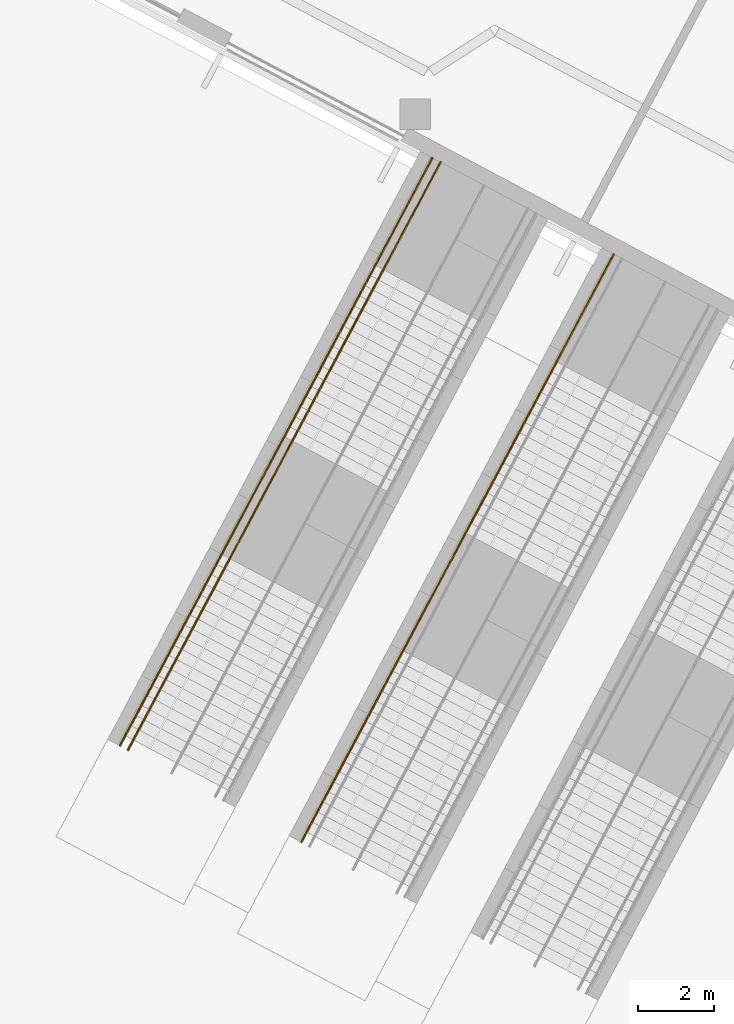
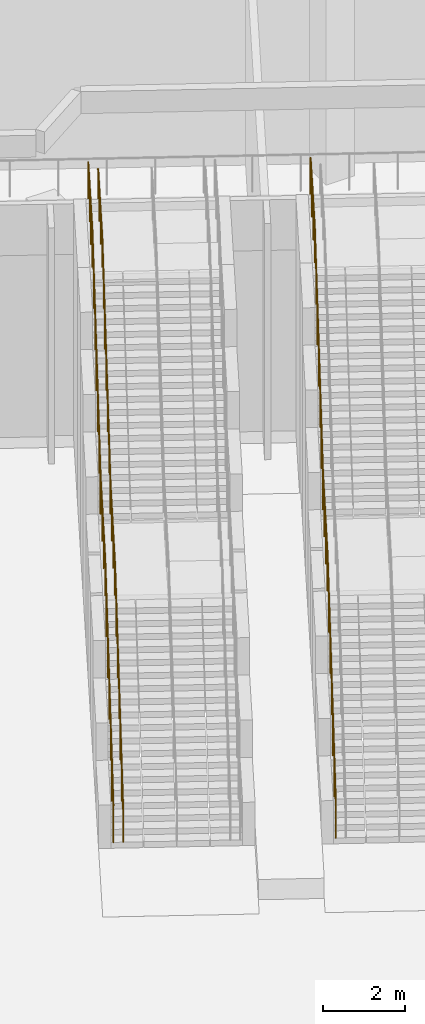
# One storey, part 39 of 57: 3 railings.
"""IFC4 building model written with IfcOpenShell, lengths in metres."""

from ifc_helpers import new_model, si_unit, direction, frame, origin, place, context, subcontext, project, spatial, polyline, outline, extrude, material, type_object, element, save


model = new_model("IFC4")

# Units and contexts
model_context = context("Model", 3, precision=1e-05, world=origin(), true_north=direction((0.0, 1.0)))
body_context = subcontext(model_context, "Body", "Model", "MODEL_VIEW")
ifc_project = project(units=[si_unit("LENGTHUNIT", "METRE"), si_unit("AREAUNIT", "SQUARE_METRE"), si_unit("VOLUMEUNIT", "CUBIC_METRE"), si_unit("PLANEANGLEUNIT", "RADIAN"), si_unit("MASSUNIT", "GRAM", prefix="KILO")], contexts=[model_context])

# Site, building, storey
site_placement = place(None, origin())
site = spatial("IfcSite", under=ifc_project, at=site_placement, CompositionType="ELEMENT")
building_placement = place(site_placement, origin())
building = spatial("IfcBuilding", under=site, at=building_placement, Name="Cormorant Relay Tower", CompositionType="ELEMENT")
storey_placement = place(building_placement, origin())
storey = spatial("IfcBuildingStorey", under=building, at=storey_placement, Name="L00", CompositionType="ELEMENT", Elevation=0.0)

# Railings
ifc_material_1 = material(Name="Stainless steel 316", Category="steel")
railing_type_1 = type_object("IfcRailingType", Name="Podium stair handrail 900", PredefinedType="HANDRAIL", material=ifc_material_1)
railing_1_placement = place(storey_placement, frame((-37.046142578125, -17.677001953125, 7.0)))
element("IfcRailing", 1, at=railing_1_placement, inside=storey, type_object=railing_type_1, Name="Stair handrail", PredefinedType="HANDRAIL", context=body_context, shape_type="SweptSolid", body=[
    extrude(outline(polyline([(0.022216796875, 0.00927734375), (0.00927734375, 0.022216796875), (-0.00927734375, 0.022216796875), (-0.022216796875, 0.00927734375), (-0.022216796875, -0.00927734375), (-0.00927734375, -0.022216796875), (0.00927734375, -0.022216796875), (0.022216796875, -0.00927734375), (0.022216796875, 0.00927734375)])), frame((0.0, 0.0, 0.8759765625), z_axis=(-0.469499880774, -0.882932535335, 0.0), x_axis=(0.882932535335, -0.469499880774, 0.0)), (0.0, 0.0, 1.0), 2.900146484375),
    extrude(outline(polyline([(0.022216796875, 0.00927734375), (0.00927734375, 0.022216796875), (-0.00927734375, 0.022216796875), (-0.022216796875, 0.00927734375), (-0.022216796875, -0.00927734375), (-0.00927734375, -0.022216796875), (0.00927734375, -0.022216796875), (0.022216796875, -0.00927734375), (0.022216796875, 0.00927734375)])), frame((-1.361572265625, -2.560546875, 0.8759765625), z_axis=(-0.405487583814, -0.762694027401, -0.503862719339), x_axis=(0.882968718533, -0.469431829014, 0.0)), (0.0, 0.0, 1.0), 6.598876953125),
    extrude(outline(polyline([(0.022216796875, 0.00927734375), (0.00927734375, 0.022216796875), (-0.00927734375, 0.022216796875), (-0.022216796875, 0.00927734375), (-0.022216796875, -0.00927734375), (-0.00927734375, -0.022216796875), (0.00927734375, -0.022216796875), (0.022216796875, -0.00927734375), (0.022216796875, 0.00927734375)])), frame((-4.037353515625, -7.593505859375, -2.44921875), z_axis=(-0.468833512707, -0.881595939072, -0.054623599059), x_axis=(0.882914115089, -0.469534519898, 0.0)), (0.0, 0.0, 1.0), 3.20458984375),
    extrude(outline(polyline([(0.022216796875, 0.00927734375), (0.00927734375, 0.022216796875), (-0.00927734375, 0.022216796875), (-0.022216796875, 0.00927734375), (-0.022216796875, -0.00927734375), (-0.00927734375, -0.022216796875), (0.00927734375, -0.022216796875), (0.022216796875, -0.00927734375), (0.022216796875, 0.00927734375)])), frame((-5.539794921875, -10.418701171875, -2.6240234375), z_axis=(-0.4055184971, -0.762682585322, -0.503855160296), x_axis=(0.882950964929, -0.46946522079, 0.0)), (0.0, 0.0, 1.0), 6.59912109375),
    extrude(outline(polyline([(0.019287109375, 0.008056640625), (0.008056640625, 0.019287109375), (-0.008056640625, 0.019287109375), (-0.019287109375, 0.008056640625), (-0.019287109375, -0.008056640625), (-0.008056640625, -0.019287109375), (0.008056640625, -0.019287109375), (0.019287109375, -0.008056640625), (0.019287109375, 0.008056640625)])), origin(), (0.0, 0.0, 1.0), 0.851806640625),
    extrude(outline(polyline([(0.019287109375, 0.008056640625), (0.008056640625, 0.019287109375), (-0.008056640625, 0.019287109375), (-0.019287109375, 0.008056640625), (-0.019287109375, -0.008056640625), (-0.008056640625, -0.019287109375), (0.008056640625, -0.019287109375), (0.019287109375, -0.008056640625), (0.019287109375, 0.008056640625)])), frame((-0.453857421875, -0.853515625, 0.0)), (0.0, 0.0, 1.0), 0.851806640625),
    extrude(outline(polyline([(0.019287109375, 0.008056640625), (0.008056640625, 0.019287109375), (-0.008056640625, 0.019287109375), (-0.019287109375, 0.008056640625), (-0.019287109375, -0.008056640625), (-0.008056640625, -0.019287109375), (0.008056640625, -0.019287109375), (0.019287109375, -0.008056640625), (0.019287109375, 0.008056640625)])), frame((-0.90771484375, -1.70703125, 0.0)), (0.0, 0.0, 1.0), 0.851806640625),
    extrude(outline(polyline([(0.019287109375, 0.008056640625), (0.008056640625, 0.019287109375), (-0.008056640625, 0.019287109375), (-0.019287109375, 0.008056640625), (-0.019287109375, -0.008056640625), (-0.008056640625, -0.019287109375), (0.008056640625, -0.019287109375), (0.019287109375, -0.008056640625), (0.019287109375, 0.008056640625)])), frame((-1.361572265625, -2.560546875, 0.0)), (0.0, 0.0, 1.0), 0.851806640625),
    extrude(outline(polyline([(0.019287109375, 0.008056640625), (0.008056640625, 0.019287109375), (-0.008056640625, 0.019287109375), (-0.019287109375, 0.008056640625), (-0.019287109375, -0.008056640625), (-0.008056640625, -0.019287109375), (0.008056640625, -0.019287109375), (0.019287109375, -0.008056640625), (0.019287109375, 0.008056640625)])), frame((-1.8076171875, -3.3994140625, -0.55419921875)), (0.0, 0.0, 1.0), 0.851806640625),
    extrude(outline(polyline([(0.019287109375, 0.008056640625), (0.008056640625, 0.019287109375), (-0.008056640625, 0.019287109375), (-0.019287109375, 0.008056640625), (-0.019287109375, -0.008056640625), (-0.008056640625, -0.019287109375), (0.008056640625, -0.019287109375), (0.019287109375, -0.008056640625), (0.019287109375, 0.008056640625)])), frame((-2.25341796875, -4.23828125, -1.1083984375)), (0.0, 0.0, 1.0), 0.851806640625),
    extrude(outline(polyline([(0.019287109375, 0.008056640625), (0.008056640625, 0.019287109375), (-0.008056640625, 0.019287109375), (-0.019287109375, 0.008056640625), (-0.019287109375, -0.008056640625), (-0.008056640625, -0.019287109375), (0.008056640625, -0.019287109375), (0.019287109375, -0.008056640625), (0.019287109375, 0.008056640625)])), frame((-2.699462890625, -5.0771484375, -1.66259765625)), (0.0, 0.0, 1.0), 0.851806640625),
    extrude(outline(polyline([(0.019287109375, 0.008056640625), (0.008056640625, 0.019287109375), (-0.008056640625, 0.019287109375), (-0.019287109375, 0.008056640625), (-0.019287109375, -0.008056640625), (-0.008056640625, -0.019287109375), (0.008056640625, -0.019287109375), (0.019287109375, -0.008056640625), (0.019287109375, 0.008056640625)])), frame((-3.1455078125, -5.915771484375, -2.216552734375)), (0.0, 0.0, 1.0), 0.851806640625),
    extrude(outline(polyline([(0.019287109375, 0.008056640625), (0.008056640625, 0.019287109375), (-0.008056640625, 0.019287109375), (-0.019287109375, 0.008056640625), (-0.019287109375, -0.008056640625), (-0.008056640625, -0.019287109375), (0.008056640625, -0.019287109375), (0.019287109375, -0.008056640625), (0.019287109375, 0.008056640625)])), frame((-3.59130859375, -6.754638671875, -2.770751953125)), (0.0, 0.0, 1.0), 0.851806640625),
    extrude(outline(polyline([(0.019287109375, 0.008056640625), (0.008056640625, 0.019287109375), (-0.008056640625, 0.019287109375), (-0.019287109375, 0.008056640625), (-0.019287109375, -0.008056640625), (-0.008056640625, -0.019287109375), (0.008056640625, -0.019287109375), (0.019287109375, -0.008056640625), (0.019287109375, 0.008056640625)])), frame((-4.037353515625, -7.593505859375, -3.324951171875)), (0.0, 0.0, 1.0), 0.851806640625),
    extrude(outline(polyline([(0.019287109375, 0.008056640625), (0.008056640625, 0.019287109375), (-0.008056640625, 0.019287109375), (-0.019287109375, 0.008056640625), (-0.019287109375, -0.008056640625), (-0.008056640625, -0.019287109375), (0.008056640625, -0.019287109375), (0.019287109375, -0.008056640625), (0.019287109375, 0.008056640625)])), frame((-4.5380859375, -8.53515625, -3.38330078125)), (0.0, 0.0, 1.0), 0.851806640625),
    extrude(outline(polyline([(0.019287109375, 0.008056640625), (0.008056640625, 0.019287109375), (-0.008056640625, 0.019287109375), (-0.019287109375, 0.008056640625), (-0.019287109375, -0.008056640625), (-0.008056640625, -0.019287109375), (0.008056640625, -0.019287109375), (0.019287109375, -0.008056640625), (0.019287109375, 0.008056640625)])), frame((-5.0390625, -9.47705078125, -3.441650390625)), (0.0, 0.0, 1.0), 0.851806640625),
    extrude(outline(polyline([(0.019287109375, 0.008056640625), (0.008056640625, 0.019287109375), (-0.008056640625, 0.019287109375), (-0.019287109375, 0.008056640625), (-0.019287109375, -0.008056640625), (-0.008056640625, -0.019287109375), (0.008056640625, -0.019287109375), (0.019287109375, -0.008056640625), (0.019287109375, 0.008056640625)])), frame((-5.539794921875, -10.418701171875, -3.5)), (0.0, 0.0, 1.0), 0.851806640625),
    extrude(outline(polyline([(0.019287109375, 0.008056640625), (0.008056640625, 0.019287109375), (-0.008056640625, 0.019287109375), (-0.019287109375, 0.008056640625), (-0.019287109375, -0.008056640625), (-0.008056640625, -0.019287109375), (0.008056640625, -0.019287109375), (0.019287109375, -0.008056640625), (0.019287109375, 0.008056640625)])), frame((-5.98583984375, -11.257568359375, -4.05419921875)), (0.0, 0.0, 1.0), 0.851806640625),
    extrude(outline(polyline([(0.019287109375, 0.008056640625), (0.008056640625, 0.019287109375), (-0.008056640625, 0.019287109375), (-0.019287109375, 0.008056640625), (-0.019287109375, -0.008056640625), (-0.008056640625, -0.019287109375), (0.008056640625, -0.019287109375), (0.019287109375, -0.008056640625), (0.019287109375, 0.008056640625)])), frame((-6.431884765625, -12.096435546875, -4.6083984375)), (0.0, 0.0, 1.0), 0.851806640625),
    extrude(outline(polyline([(0.019287109375, 0.008056640625), (0.008056640625, 0.019287109375), (-0.008056640625, 0.019287109375), (-0.019287109375, 0.008056640625), (-0.019287109375, -0.008056640625), (-0.008056640625, -0.019287109375), (0.008056640625, -0.019287109375), (0.019287109375, -0.008056640625), (0.019287109375, 0.008056640625)])), frame((-6.8779296875, -12.93505859375, -5.16259765625)), (0.0, 0.0, 1.0), 0.851806640625),
    extrude(outline(polyline([(0.019287109375, 0.008056640625), (0.008056640625, 0.019287109375), (-0.008056640625, 0.019287109375), (-0.019287109375, 0.008056640625), (-0.019287109375, -0.008056640625), (-0.008056640625, -0.019287109375), (0.008056640625, -0.019287109375), (0.019287109375, -0.008056640625), (0.019287109375, 0.008056640625)])), frame((-7.32373046875, -13.77392578125, -5.716552734375)), (0.0, 0.0, 1.0), 0.851806640625),
    extrude(outline(polyline([(0.019287109375, 0.008056640625), (0.008056640625, 0.019287109375), (-0.008056640625, 0.019287109375), (-0.019287109375, 0.008056640625), (-0.019287109375, -0.008056640625), (-0.008056640625, -0.019287109375), (0.008056640625, -0.019287109375), (0.019287109375, -0.008056640625), (0.019287109375, 0.008056640625)])), frame((-7.769775390625, -14.61279296875, -6.270751953125)), (0.0, 0.0, 1.0), 0.851806640625),
    extrude(outline(polyline([(0.019287109375, 0.008056640625), (0.008056640625, 0.019287109375), (-0.008056640625, 0.019287109375), (-0.019287109375, 0.008056640625), (-0.019287109375, -0.008056640625), (-0.008056640625, -0.019287109375), (0.008056640625, -0.019287109375), (0.019287109375, -0.008056640625), (0.019287109375, 0.008056640625)])), frame((-8.2158203125, -15.45166015625, -6.824951171875)), (0.0, 0.0, 1.0), 0.851806640625),
])
ifc_material_2 = material(Name="Bronze anodised aluminium", Category="aluminium")
railing_type_2 = type_object("IfcRailingType", Name="Stair guard steel 1100", PredefinedType="GUARDRAIL", material=ifc_material_2)
railing_2_placement = place(storey_placement, frame((-37.258056640625, -17.564208984375, 7.0)))
element("IfcRailing", 2, at=railing_2_placement, inside=storey, type_object=railing_type_2, Name="Stair guard", PredefinedType="GUARDRAIL", context=body_context, shape_type="SweptSolid", body=[
    extrude(outline(polyline([(0.022216796875, 0.00927734375), (0.00927734375, 0.022216796875), (-0.00927734375, 0.022216796875), (-0.022216796875, 0.00927734375), (-0.022216796875, -0.00927734375), (-0.00927734375, -0.022216796875), (0.00927734375, -0.022216796875), (0.022216796875, -0.00927734375), (0.022216796875, 0.00927734375)])), frame((0.0, 0.0, 1.076171875), z_axis=(-0.469464985218, -0.882951090183, 0.0), x_axis=(0.882951090183, -0.469464985218, 0.0)), (0.0, 0.0, 1.0), 2.900146484375),
    extrude(outline(polyline([(0.022216796875, 0.00927734375), (0.00927734375, 0.022216796875), (-0.00927734375, 0.022216796875), (-0.022216796875, 0.00927734375), (-0.022216796875, -0.00927734375), (-0.00927734375, -0.022216796875), (0.00927734375, -0.022216796875), (0.022216796875, -0.00927734375), (0.022216796875, 0.00927734375)])), frame((-1.361572265625, -2.560791015625, 1.076171875), z_axis=(-0.40552993965, -0.762667108471, -0.50386937762), x_axis=(0.882941524652, -0.469482975245, 0.0)), (0.0, 0.0, 1.0), 6.598876953125),
    extrude(outline(polyline([(0.022216796875, 0.00927734375), (0.00927734375, 0.022216796875), (-0.00927734375, 0.022216796875), (-0.022216796875, 0.00927734375), (-0.022216796875, -0.00927734375), (-0.00927734375, -0.022216796875), (0.00927734375, -0.022216796875), (0.022216796875, -0.00927734375), (0.022216796875, 0.00927734375)])), frame((-4.03759765625, -7.593505859375, -2.2490234375), z_axis=(-0.468742586737, -0.881644394004, -0.054621881146), x_axis=(0.88296255937, -0.469443413791, 0.0)), (0.0, 0.0, 1.0), 3.204833984375),
    extrude(outline(polyline([(0.022216796875, 0.00927734375), (0.00927734375, 0.022216796875), (-0.00927734375, 0.022216796875), (-0.022216796875, 0.00927734375), (-0.022216796875, -0.00927734375), (-0.00927734375, -0.022216796875), (0.00927734375, -0.022216796875), (0.022216796875, -0.00927734375), (0.022216796875, 0.00927734375)])), frame((-5.539794921875, -10.4189453125, -2.423828125), z_axis=(-0.40552993965, -0.762667108471, -0.50386937762), x_axis=(0.882941524652, -0.469482975245, 0.0)), (0.0, 0.0, 1.0), 6.598876953125),
    extrude(outline(polyline([(0.019287109375, 0.008056640625), (0.008056640625, 0.019287109375), (-0.008056640625, 0.019287109375), (-0.019287109375, 0.008056640625), (-0.019287109375, -0.008056640625), (-0.008056640625, -0.019287109375), (0.008056640625, -0.019287109375), (0.019287109375, -0.008056640625), (0.019287109375, 0.008056640625)])), origin(), (0.0, 0.0, 1.0), 1.052001953125),
    extrude(outline(polyline([(0.019287109375, 0.008056640625), (0.008056640625, 0.019287109375), (-0.008056640625, 0.019287109375), (-0.019287109375, 0.008056640625), (-0.019287109375, -0.008056640625), (-0.008056640625, -0.019287109375), (0.008056640625, -0.019287109375), (0.019287109375, -0.008056640625), (0.019287109375, 0.008056640625)])), frame((-0.453857421875, -0.853515625, 0.0)), (0.0, 0.0, 1.0), 1.052001953125),
    extrude(outline(polyline([(0.019287109375, 0.008056640625), (0.008056640625, 0.019287109375), (-0.008056640625, 0.019287109375), (-0.019287109375, 0.008056640625), (-0.019287109375, -0.008056640625), (-0.008056640625, -0.019287109375), (0.008056640625, -0.019287109375), (0.019287109375, -0.008056640625), (0.019287109375, 0.008056640625)])), frame((-0.90771484375, -1.707275390625, 0.0)), (0.0, 0.0, 1.0), 1.052001953125),
    extrude(outline(polyline([(0.019287109375, 0.008056640625), (0.008056640625, 0.019287109375), (-0.008056640625, 0.019287109375), (-0.019287109375, 0.008056640625), (-0.019287109375, -0.008056640625), (-0.008056640625, -0.019287109375), (0.008056640625, -0.019287109375), (0.019287109375, -0.008056640625), (0.019287109375, 0.008056640625)])), frame((-1.361572265625, -2.560791015625, 0.0)), (0.0, 0.0, 1.0), 1.052001953125),
    extrude(outline(polyline([(0.019287109375, 0.008056640625), (0.008056640625, 0.019287109375), (-0.008056640625, 0.019287109375), (-0.019287109375, 0.008056640625), (-0.019287109375, -0.008056640625), (-0.008056640625, -0.019287109375), (0.008056640625, -0.019287109375), (0.019287109375, -0.008056640625), (0.019287109375, 0.008056640625)])), frame((-1.8076171875, -3.399658203125, -0.55419921875)), (0.0, 0.0, 1.0), 1.052001953125),
    extrude(outline(polyline([(0.019287109375, 0.008056640625), (0.008056640625, 0.019287109375), (-0.008056640625, 0.019287109375), (-0.019287109375, 0.008056640625), (-0.019287109375, -0.008056640625), (-0.008056640625, -0.019287109375), (0.008056640625, -0.019287109375), (0.019287109375, -0.008056640625), (0.019287109375, 0.008056640625)])), frame((-2.253662109375, -4.23828125, -1.1083984375)), (0.0, 0.0, 1.0), 1.052001953125),
    extrude(outline(polyline([(0.019287109375, 0.008056640625), (0.008056640625, 0.019287109375), (-0.008056640625, 0.019287109375), (-0.019287109375, 0.008056640625), (-0.019287109375, -0.008056640625), (-0.008056640625, -0.019287109375), (0.008056640625, -0.019287109375), (0.019287109375, -0.008056640625), (0.019287109375, 0.008056640625)])), frame((-2.69970703125, -5.0771484375, -1.66259765625)), (0.0, 0.0, 1.0), 1.052001953125),
    extrude(outline(polyline([(0.019287109375, 0.008056640625), (0.008056640625, 0.019287109375), (-0.008056640625, 0.019287109375), (-0.019287109375, 0.008056640625), (-0.019287109375, -0.008056640625), (-0.008056640625, -0.019287109375), (0.008056640625, -0.019287109375), (0.019287109375, -0.008056640625), (0.019287109375, 0.008056640625)])), frame((-3.1455078125, -5.916015625, -2.216552734375)), (0.0, 0.0, 1.0), 1.052001953125),
    extrude(outline(polyline([(0.019287109375, 0.008056640625), (0.008056640625, 0.019287109375), (-0.008056640625, 0.019287109375), (-0.019287109375, 0.008056640625), (-0.019287109375, -0.008056640625), (-0.008056640625, -0.019287109375), (0.008056640625, -0.019287109375), (0.019287109375, -0.008056640625), (0.019287109375, 0.008056640625)])), frame((-3.591552734375, -6.754638671875, -2.770751953125)), (0.0, 0.0, 1.0), 1.052001953125),
    extrude(outline(polyline([(0.019287109375, 0.008056640625), (0.008056640625, 0.019287109375), (-0.008056640625, 0.019287109375), (-0.019287109375, 0.008056640625), (-0.019287109375, -0.008056640625), (-0.008056640625, -0.019287109375), (0.008056640625, -0.019287109375), (0.019287109375, -0.008056640625), (0.019287109375, 0.008056640625)])), frame((-4.03759765625, -7.593505859375, -3.324951171875)), (0.0, 0.0, 1.0), 1.052001953125),
    extrude(outline(polyline([(0.019287109375, 0.008056640625), (0.008056640625, 0.019287109375), (-0.008056640625, 0.019287109375), (-0.019287109375, 0.008056640625), (-0.019287109375, -0.008056640625), (-0.008056640625, -0.019287109375), (0.008056640625, -0.019287109375), (0.019287109375, -0.008056640625), (0.019287109375, 0.008056640625)])), frame((-4.538330078125, -8.535400390625, -3.38330078125)), (0.0, 0.0, 1.0), 1.052001953125),
    extrude(outline(polyline([(0.019287109375, 0.008056640625), (0.008056640625, 0.019287109375), (-0.008056640625, 0.019287109375), (-0.019287109375, 0.008056640625), (-0.019287109375, -0.008056640625), (-0.008056640625, -0.019287109375), (0.008056640625, -0.019287109375), (0.019287109375, -0.008056640625), (0.019287109375, 0.008056640625)])), frame((-5.0390625, -9.47705078125, -3.441650390625)), (0.0, 0.0, 1.0), 1.052001953125),
    extrude(outline(polyline([(0.019287109375, 0.008056640625), (0.008056640625, 0.019287109375), (-0.008056640625, 0.019287109375), (-0.019287109375, 0.008056640625), (-0.019287109375, -0.008056640625), (-0.008056640625, -0.019287109375), (0.008056640625, -0.019287109375), (0.019287109375, -0.008056640625), (0.019287109375, 0.008056640625)])), frame((-5.539794921875, -10.4189453125, -3.5)), (0.0, 0.0, 1.0), 1.052001953125),
    extrude(outline(polyline([(0.019287109375, 0.008056640625), (0.008056640625, 0.019287109375), (-0.008056640625, 0.019287109375), (-0.019287109375, 0.008056640625), (-0.019287109375, -0.008056640625), (-0.008056640625, -0.019287109375), (0.008056640625, -0.019287109375), (0.019287109375, -0.008056640625), (0.019287109375, 0.008056640625)])), frame((-5.98583984375, -11.2578125, -4.05419921875)), (0.0, 0.0, 1.0), 1.052001953125),
    extrude(outline(polyline([(0.019287109375, 0.008056640625), (0.008056640625, 0.019287109375), (-0.008056640625, 0.019287109375), (-0.019287109375, 0.008056640625), (-0.019287109375, -0.008056640625), (-0.008056640625, -0.019287109375), (0.008056640625, -0.019287109375), (0.019287109375, -0.008056640625), (0.019287109375, 0.008056640625)])), frame((-6.431884765625, -12.096435546875, -4.6083984375)), (0.0, 0.0, 1.0), 1.052001953125),
    extrude(outline(polyline([(0.019287109375, 0.008056640625), (0.008056640625, 0.019287109375), (-0.008056640625, 0.019287109375), (-0.019287109375, 0.008056640625), (-0.019287109375, -0.008056640625), (-0.008056640625, -0.019287109375), (0.008056640625, -0.019287109375), (0.019287109375, -0.008056640625), (0.019287109375, 0.008056640625)])), frame((-6.8779296875, -12.935302734375, -5.16259765625)), (0.0, 0.0, 1.0), 1.052001953125),
    extrude(outline(polyline([(0.019287109375, 0.008056640625), (0.008056640625, 0.019287109375), (-0.008056640625, 0.019287109375), (-0.019287109375, 0.008056640625), (-0.019287109375, -0.008056640625), (-0.008056640625, -0.019287109375), (0.008056640625, -0.019287109375), (0.019287109375, -0.008056640625), (0.019287109375, 0.008056640625)])), frame((-7.32373046875, -13.774169921875, -5.716552734375)), (0.0, 0.0, 1.0), 1.052001953125),
    extrude(outline(polyline([(0.019287109375, 0.008056640625), (0.008056640625, 0.019287109375), (-0.008056640625, 0.019287109375), (-0.019287109375, 0.008056640625), (-0.019287109375, -0.008056640625), (-0.008056640625, -0.019287109375), (0.008056640625, -0.019287109375), (0.019287109375, -0.008056640625), (0.019287109375, 0.008056640625)])), frame((-7.769775390625, -14.61279296875, -6.270751953125)), (0.0, 0.0, 1.0), 1.052001953125),
    extrude(outline(polyline([(0.019287109375, 0.008056640625), (0.008056640625, 0.019287109375), (-0.008056640625, 0.019287109375), (-0.019287109375, 0.008056640625), (-0.019287109375, -0.008056640625), (-0.008056640625, -0.019287109375), (0.008056640625, -0.019287109375), (0.019287109375, -0.008056640625), (0.019287109375, 0.008056640625)])), frame((-8.2158203125, -15.45166015625, -6.824951171875)), (0.0, 0.0, 1.0), 1.052001953125),
])
railing_3_placement = place(storey_placement, frame((-32.490234375, -20.099609375, 7.0)))
element("IfcRailing", 3, at=railing_3_placement, inside=storey, type_object=railing_type_2, Name="Stair guard", PredefinedType="GUARDRAIL", context=body_context, shape_type="SweptSolid", body=[
    extrude(outline(polyline([(0.022216796875, 0.00927734375), (0.00927734375, 0.022216796875), (-0.00927734375, 0.022216796875), (-0.022216796875, 0.00927734375), (-0.022216796875, -0.00927734375), (-0.00927734375, -0.022216796875), (0.00927734375, -0.022216796875), (0.022216796875, -0.00927734375), (0.022216796875, 0.00927734375)])), frame((0.0, 0.0, 1.076171875), z_axis=(-0.469534780786, -0.882913976349, 0.0), x_axis=(0.882913976349, -0.469534780786, 0.0)), (0.0, 0.0, 1.0), 2.89990234375),
    extrude(outline(polyline([(0.022216796875, 0.00927734375), (0.00927734375, 0.022216796875), (-0.00927734375, 0.022216796875), (-0.022216796875, 0.00927734375), (-0.022216796875, -0.00927734375), (-0.00927734375, -0.022216796875), (0.00927734375, -0.022216796875), (0.022216796875, -0.00927734375), (0.022216796875, 0.00927734375)])), frame((-1.361572265625, -2.560302734375, 1.076171875), z_axis=(-0.405487583814, -0.762694027401, -0.503862719339), x_axis=(0.882968718533, -0.469431829014, 0.0)), (0.0, 0.0, 1.0), 6.598876953125),
    extrude(outline(polyline([(0.022216796875, 0.00927734375), (0.00927734375, 0.022216796875), (-0.00927734375, 0.022216796875), (-0.022216796875, 0.00927734375), (-0.022216796875, -0.00927734375), (-0.00927734375, -0.022216796875), (0.00927734375, -0.022216796875), (0.022216796875, -0.00927734375), (0.022216796875, 0.00927734375)])), frame((-4.037353515625, -7.59326171875, -2.2490234375), z_axis=(-0.468742586737, -0.881644394004, -0.054621881146), x_axis=(0.88296255937, -0.469443413791, 0.0)), (0.0, 0.0, 1.0), 3.204833984375),
    extrude(outline(polyline([(0.022216796875, 0.00927734375), (0.00927734375, 0.022216796875), (-0.00927734375, 0.022216796875), (-0.022216796875, 0.00927734375), (-0.022216796875, -0.00927734375), (-0.00927734375, -0.022216796875), (0.00927734375, -0.022216796875), (0.022216796875, -0.00927734375), (0.022216796875, 0.00927734375)])), frame((-5.53955078125, -10.418701171875, -2.423828125), z_axis=(-0.40552993965, -0.762667108471, -0.50386937762), x_axis=(0.882941524652, -0.469482975245, 0.0)), (0.0, 0.0, 1.0), 6.598876953125),
    extrude(outline(polyline([(0.019287109375, 0.008056640625), (0.008056640625, 0.019287109375), (-0.008056640625, 0.019287109375), (-0.019287109375, 0.008056640625), (-0.019287109375, -0.008056640625), (-0.008056640625, -0.019287109375), (0.008056640625, -0.019287109375), (0.019287109375, -0.008056640625), (0.019287109375, 0.008056640625)])), origin(), (0.0, 0.0, 1.0), 1.052001953125),
    extrude(outline(polyline([(0.019287109375, 0.008056640625), (0.008056640625, 0.019287109375), (-0.008056640625, 0.019287109375), (-0.019287109375, 0.008056640625), (-0.019287109375, -0.008056640625), (-0.008056640625, -0.019287109375), (0.008056640625, -0.019287109375), (0.019287109375, -0.008056640625), (0.019287109375, 0.008056640625)])), frame((-0.453857421875, -0.853515625, 0.0)), (0.0, 0.0, 1.0), 1.052001953125),
    extrude(outline(polyline([(0.019287109375, 0.008056640625), (0.008056640625, 0.019287109375), (-0.008056640625, 0.019287109375), (-0.019287109375, 0.008056640625), (-0.019287109375, -0.008056640625), (-0.008056640625, -0.019287109375), (0.008056640625, -0.019287109375), (0.019287109375, -0.008056640625), (0.019287109375, 0.008056640625)])), frame((-0.90771484375, -1.706787109375, 0.0)), (0.0, 0.0, 1.0), 1.052001953125),
    extrude(outline(polyline([(0.019287109375, 0.008056640625), (0.008056640625, 0.019287109375), (-0.008056640625, 0.019287109375), (-0.019287109375, 0.008056640625), (-0.019287109375, -0.008056640625), (-0.008056640625, -0.019287109375), (0.008056640625, -0.019287109375), (0.019287109375, -0.008056640625), (0.019287109375, 0.008056640625)])), frame((-1.361572265625, -2.560302734375, 0.0)), (0.0, 0.0, 1.0), 1.052001953125),
    extrude(outline(polyline([(0.019287109375, 0.008056640625), (0.008056640625, 0.019287109375), (-0.008056640625, 0.019287109375), (-0.019287109375, 0.008056640625), (-0.019287109375, -0.008056640625), (-0.008056640625, -0.019287109375), (0.008056640625, -0.019287109375), (0.019287109375, -0.008056640625), (0.019287109375, 0.008056640625)])), frame((-1.8076171875, -3.399169921875, -0.55419921875)), (0.0, 0.0, 1.0), 1.052001953125),
    extrude(outline(polyline([(0.019287109375, 0.008056640625), (0.008056640625, 0.019287109375), (-0.008056640625, 0.019287109375), (-0.019287109375, 0.008056640625), (-0.019287109375, -0.008056640625), (-0.008056640625, -0.019287109375), (0.008056640625, -0.019287109375), (0.019287109375, -0.008056640625), (0.019287109375, 0.008056640625)])), frame((-2.25341796875, -4.238037109375, -1.1083984375)), (0.0, 0.0, 1.0), 1.052001953125),
    extrude(outline(polyline([(0.019287109375, 0.008056640625), (0.008056640625, 0.019287109375), (-0.008056640625, 0.019287109375), (-0.019287109375, 0.008056640625), (-0.019287109375, -0.008056640625), (-0.008056640625, -0.019287109375), (0.008056640625, -0.019287109375), (0.019287109375, -0.008056640625), (0.019287109375, 0.008056640625)])), frame((-2.699462890625, -5.07666015625, -1.66259765625)), (0.0, 0.0, 1.0), 1.052001953125),
    extrude(outline(polyline([(0.019287109375, 0.008056640625), (0.008056640625, 0.019287109375), (-0.008056640625, 0.019287109375), (-0.019287109375, 0.008056640625), (-0.019287109375, -0.008056640625), (-0.008056640625, -0.019287109375), (0.008056640625, -0.019287109375), (0.019287109375, -0.008056640625), (0.019287109375, 0.008056640625)])), frame((-3.1455078125, -5.91552734375, -2.216552734375)), (0.0, 0.0, 1.0), 1.052001953125),
    extrude(outline(polyline([(0.019287109375, 0.008056640625), (0.008056640625, 0.019287109375), (-0.008056640625, 0.019287109375), (-0.019287109375, 0.008056640625), (-0.019287109375, -0.008056640625), (-0.008056640625, -0.019287109375), (0.008056640625, -0.019287109375), (0.019287109375, -0.008056640625), (0.019287109375, 0.008056640625)])), frame((-3.59130859375, -6.75439453125, -2.770751953125)), (0.0, 0.0, 1.0), 1.052001953125),
    extrude(outline(polyline([(0.019287109375, 0.008056640625), (0.008056640625, 0.019287109375), (-0.008056640625, 0.019287109375), (-0.019287109375, 0.008056640625), (-0.019287109375, -0.008056640625), (-0.008056640625, -0.019287109375), (0.008056640625, -0.019287109375), (0.019287109375, -0.008056640625), (0.019287109375, 0.008056640625)])), frame((-4.037353515625, -7.59326171875, -3.324951171875)), (0.0, 0.0, 1.0), 1.052001953125),
    extrude(outline(polyline([(0.019287109375, 0.008056640625), (0.008056640625, 0.019287109375), (-0.008056640625, 0.019287109375), (-0.019287109375, 0.008056640625), (-0.019287109375, -0.008056640625), (-0.008056640625, -0.019287109375), (0.008056640625, -0.019287109375), (0.019287109375, -0.008056640625), (0.019287109375, 0.008056640625)])), frame((-4.5380859375, -8.53515625, -3.38330078125)), (0.0, 0.0, 1.0), 1.052001953125),
    extrude(outline(polyline([(0.019287109375, 0.008056640625), (0.008056640625, 0.019287109375), (-0.008056640625, 0.019287109375), (-0.019287109375, 0.008056640625), (-0.019287109375, -0.008056640625), (-0.008056640625, -0.019287109375), (0.008056640625, -0.019287109375), (0.019287109375, -0.008056640625), (0.019287109375, 0.008056640625)])), frame((-5.038818359375, -9.476806640625, -3.441650390625)), (0.0, 0.0, 1.0), 1.052001953125),
    extrude(outline(polyline([(0.019287109375, 0.008056640625), (0.008056640625, 0.019287109375), (-0.008056640625, 0.019287109375), (-0.019287109375, 0.008056640625), (-0.019287109375, -0.008056640625), (-0.008056640625, -0.019287109375), (0.008056640625, -0.019287109375), (0.019287109375, -0.008056640625), (0.019287109375, 0.008056640625)])), frame((-5.53955078125, -10.418701171875, -3.5)), (0.0, 0.0, 1.0), 1.052001953125),
    extrude(outline(polyline([(0.019287109375, 0.008056640625), (0.008056640625, 0.019287109375), (-0.008056640625, 0.019287109375), (-0.019287109375, 0.008056640625), (-0.019287109375, -0.008056640625), (-0.008056640625, -0.019287109375), (0.008056640625, -0.019287109375), (0.019287109375, -0.008056640625), (0.019287109375, 0.008056640625)])), frame((-5.985595703125, -11.257568359375, -4.05419921875)), (0.0, 0.0, 1.0), 1.052001953125),
    extrude(outline(polyline([(0.019287109375, 0.008056640625), (0.008056640625, 0.019287109375), (-0.008056640625, 0.019287109375), (-0.019287109375, 0.008056640625), (-0.019287109375, -0.008056640625), (-0.008056640625, -0.019287109375), (0.008056640625, -0.019287109375), (0.019287109375, -0.008056640625), (0.019287109375, 0.008056640625)])), frame((-6.431640625, -12.09619140625, -4.6083984375)), (0.0, 0.0, 1.0), 1.052001953125),
    extrude(outline(polyline([(0.019287109375, 0.008056640625), (0.008056640625, 0.019287109375), (-0.008056640625, 0.019287109375), (-0.019287109375, 0.008056640625), (-0.019287109375, -0.008056640625), (-0.008056640625, -0.019287109375), (0.008056640625, -0.019287109375), (0.019287109375, -0.008056640625), (0.019287109375, 0.008056640625)])), frame((-6.87744140625, -12.93505859375, -5.16259765625)), (0.0, 0.0, 1.0), 1.052001953125),
    extrude(outline(polyline([(0.019287109375, 0.008056640625), (0.008056640625, 0.019287109375), (-0.008056640625, 0.019287109375), (-0.019287109375, 0.008056640625), (-0.019287109375, -0.008056640625), (-0.008056640625, -0.019287109375), (0.008056640625, -0.019287109375), (0.019287109375, -0.008056640625), (0.019287109375, 0.008056640625)])), frame((-7.323486328125, -13.77392578125, -5.716552734375)), (0.0, 0.0, 1.0), 1.052001953125),
    extrude(outline(polyline([(0.019287109375, 0.008056640625), (0.008056640625, 0.019287109375), (-0.008056640625, 0.019287109375), (-0.019287109375, 0.008056640625), (-0.019287109375, -0.008056640625), (-0.008056640625, -0.019287109375), (0.008056640625, -0.019287109375), (0.019287109375, -0.008056640625), (0.019287109375, 0.008056640625)])), frame((-7.76953125, -14.612548828125, -6.270751953125)), (0.0, 0.0, 1.0), 1.052001953125),
    extrude(outline(polyline([(0.019287109375, 0.008056640625), (0.008056640625, 0.019287109375), (-0.008056640625, 0.019287109375), (-0.019287109375, 0.008056640625), (-0.019287109375, -0.008056640625), (-0.008056640625, -0.019287109375), (0.008056640625, -0.019287109375), (0.019287109375, -0.008056640625), (0.019287109375, 0.008056640625)])), frame((-8.215576171875, -15.451416015625, -6.824951171875)), (0.0, 0.0, 1.0), 1.052001953125),
])

save(model, "model.ifc")
